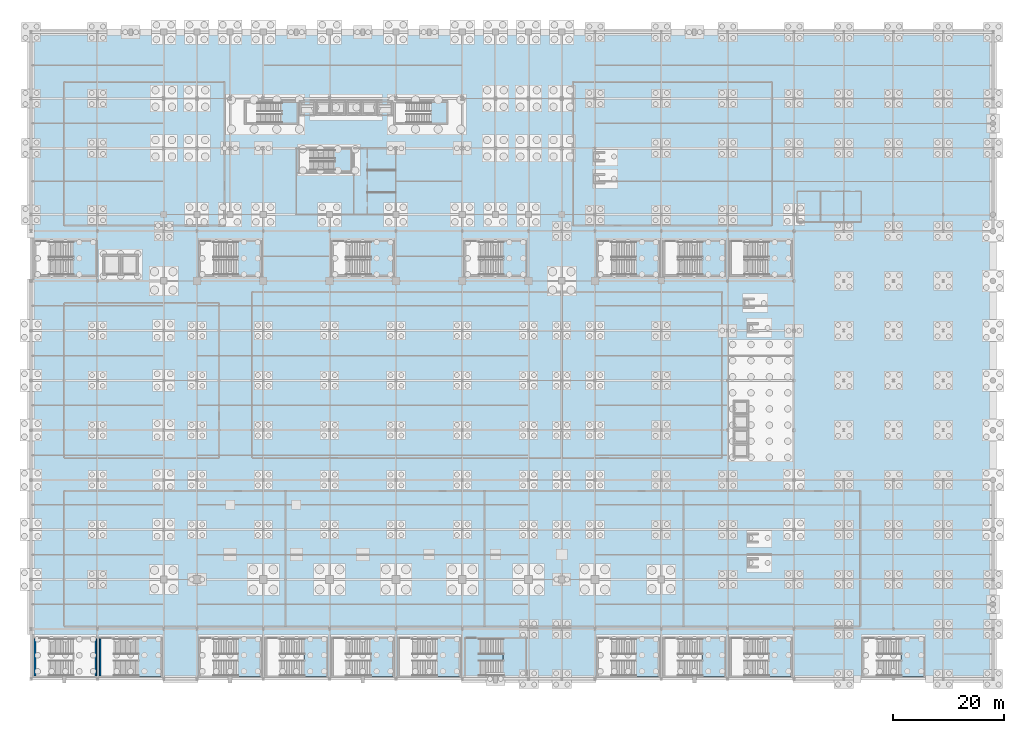
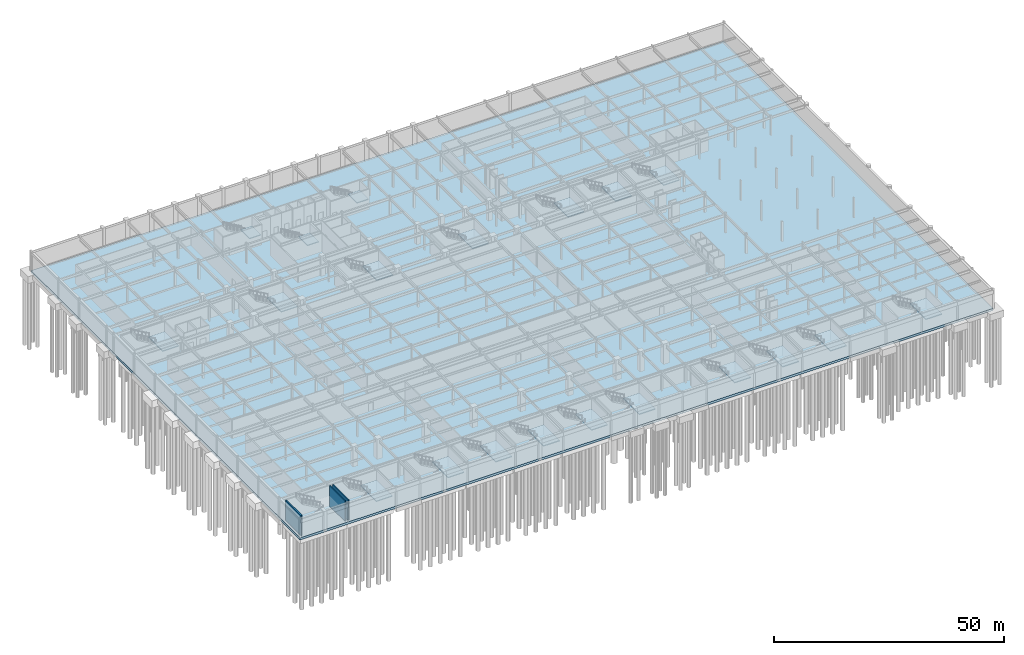
# One storey, part 22 of 47: 21 slabs, 3 walls, 20 elements without a shape of their own.
"""IFC4 building model written with IfcOpenShell, lengths in metres."""

from ifc_helpers import new_model, si_unit, direction, frame, frame_2d, origin, place, context, subcontext, project, spatial, polyline, rectangle, outline, extrude, material, layer, layer_set, type_object, element, aggregate, save


model = new_model("IFC4")

# Units and contexts
model_context = context("Model", 3, precision=1e-05, world=origin(), true_north=direction((0.0, 1.0)))
body_context = subcontext(model_context, "Body", "Model", "MODEL_VIEW")
ifc_project = project(units=[si_unit("LENGTHUNIT", "METRE"), si_unit("AREAUNIT", "SQUARE_METRE"), si_unit("VOLUMEUNIT", "CUBIC_METRE"), si_unit("PLANEANGLEUNIT", "RADIAN"), si_unit("MASSUNIT", "GRAM", prefix="KILO")], contexts=[model_context])

# Site, building, storey
site_placement = place(None, origin())
site = spatial("IfcSite", under=ifc_project, at=site_placement, CompositionType="ELEMENT")
building_placement = place(site_placement, origin())
building = spatial("IfcBuilding", under=site, at=building_placement, Name="Kaldorvane Square Convention Centre", CompositionType="ELEMENT")
storey_placement = place(building_placement, frame((0.0, 0.0, -5.399993896484375)))
storey = spatial("IfcBuildingStorey", under=building, at=storey_placement, Name="B01", CompositionType="ELEMENT", Elevation=-5.399993896484375)

# Slab
ifc_material_1 = material(Name="Concrete f'c = 42 MPa (Normalweight)", Category="concrete")
ifc_layer_1 = layer(ifc_material_1, 0.600006103515625)
ifc_layer_set_1 = layer_set([ifc_layer_1], Name="Concrete f'c = 42 MPa (Normalweight)")
slab_type_1 = type_object("IfcSlabType", Name="SL-BASE-600", PredefinedType="BASESLAB", material=ifc_layer_set_1)
slab_1_placement = place(storey_placement, frame((0.0, 0.0, -0.600006103515625)))
element("IfcSlab", 1, at=slab_1_placement, inside=storey, type_object=slab_type_1, Name="Basement Structural Base Slab", PredefinedType="BASESLAB", context=body_context, shape_type="SweptSolid", body=[
    extrude(outline(polyline([(0.0, 0.0), (174.0, 0.0), (174.0, 117.0), (0.0, 117.0), (0.0, 0.0)])), origin(), (0.0, 0.0, 1.0), 0.600006103515625),
])

# Stair, slab
stair_type_1 = type_object("IfcStairType", Name="ST-DL-1600-5400", PredefinedType="HALF_TURN_STAIR", material=ifc_material_1)
stair_1_placement = place(storey_placement, origin())
stair_1 = element("IfcStair", 2, at=stair_1_placement, inside=storey, type_object=stair_type_1, Name="Tower Exit Stair T1 (B01)", PredefinedType="HALF_TURN_STAIR")
ifc_layer_2 = layer(ifc_material_1, 0.2400054931640625)
ifc_layer_set_2 = layer_set([ifc_layer_2], Name="Concrete f'c = 42 MPa (Normalweight)")
slab_type_2 = type_object("IfcSlabType", Name="SL-LAND-240", PredefinedType="LANDING", material=ifc_layer_set_2)
slab_2_placement = place(storey_placement, frame((0.0, 0.0, 2.459991455078125)))
slab_2 = element("IfcSlab", 3, at=slab_2_placement, type_object=slab_type_2, Name="Tower Exit Stair T1 Half Landing (B01)", PredefinedType="LANDING", context=body_context, shape_type="SweptSolid", body=[
    extrude(outline(polyline([(45.32000732421875, 100.49000549316406), (48.220001220703125, 100.49000549316406), (48.220001220703125, 104.3699951171875), (45.32000732421875, 104.3699951171875), (45.32000732421875, 100.49000549316406)])), origin(), (0.0, 0.0, 1.0), 0.2400054931640625),
])
aggregate(stair_1, [slab_2])

stair_2_placement = place(storey_placement, origin())
stair_2 = element("IfcStair", 4, at=stair_2_placement, inside=storey, type_object=stair_type_1, Name="Tower Exit Stair T2 (B01)", PredefinedType="HALF_TURN_STAIR")
slab_3_placement = place(storey_placement, frame((0.0, 0.0, 2.459991455078125)))
slab_3 = element("IfcSlab", 5, at=slab_3_placement, type_object=slab_type_2, Name="Tower Exit Stair T2 Half Landing (B01)", PredefinedType="LANDING", context=body_context, shape_type="SweptSolid", body=[
    extrude(outline(polyline([(72.32000732421875, 100.49000549316406), (75.22000122070312, 100.49000549316406), (75.22000122070312, 104.3699951171875), (72.32000732421875, 104.3699951171875), (72.32000732421875, 100.49000549316406)])), origin(), (0.0, 0.0, 1.0), 0.2400054931640625),
])
aggregate(stair_2, [slab_3])

stair_3_placement = place(storey_placement, origin())
stair_3 = element("IfcStair", 6, at=stair_3_placement, inside=storey, type_object=stair_type_1, Name="Tower Exit Stair T3 (B01)", PredefinedType="HALF_TURN_STAIR")
slab_4_placement = place(storey_placement, frame((0.0, 0.0, 2.459991455078125)))
slab_4 = element("IfcSlab", 7, at=slab_4_placement, type_object=slab_type_2, Name="Tower Exit Stair T3 Half Landing (B01)", PredefinedType="LANDING", context=body_context, shape_type="SweptSolid", body=[
    extrude(outline(polyline([(54.91999816894531, 91.94000244140625), (57.82000732421875, 91.94000244140625), (57.82000732421875, 95.82000732421875), (54.91999816894531, 95.82000732421875), (54.91999816894531, 91.94000244140625)])), origin(), (0.0, 0.0, 1.0), 0.2400054931640625),
])
aggregate(stair_3, [slab_4])

stair_type_2 = type_object("IfcStairType", Name="ST-DL-2800-5400-D6710", PredefinedType="HALF_TURN_STAIR", material=ifc_material_1)
stair_4_placement = place(storey_placement, origin())
stair_4 = element("IfcStair", 8, at=stair_4_placement, inside=storey, type_object=stair_type_2, Name="Convention Exit Stair C2 (B01)", PredefinedType="HALF_TURN_STAIR")
slab_5_placement = place(storey_placement, frame((0.0, 0.0, 2.459991455078125)))
slab_5 = element("IfcSlab", 9, at=slab_5_placement, type_object=slab_type_2, Name="Convention Exit Stair C2 Half Landing (B01)", PredefinedType="LANDING", context=body_context, shape_type="SweptSolid", body=[
    extrude(outline(polyline([(19.410003662109375, 0.42999267578125), (23.479995727539062, 0.42999267578125), (23.479995727539062, 7.3800048828125), (19.410003662109375, 7.3800048828125), (19.410003662109375, 0.42999267578125)])), origin(), (0.0, 0.0, 1.0), 0.2400054931640625),
])
aggregate(stair_4, [slab_5])

stair_5_placement = place(storey_placement, origin())
stair_5 = element("IfcStair", 10, at=stair_5_placement, inside=storey, type_object=stair_type_2, Name="Convention Exit Stair C3 (B01)", PredefinedType="HALF_TURN_STAIR")
slab_6_placement = place(storey_placement, frame((0.0, 0.0, 2.459991455078125)))
slab_6 = element("IfcSlab", 11, at=slab_6_placement, type_object=slab_type_2, Name="Convention Exit Stair C3 Half Landing (B01)", PredefinedType="LANDING", context=body_context, shape_type="SweptSolid", body=[
    extrude(outline(polyline([(37.410003662109375, 0.42999267578125), (41.47999572753906, 0.42999267578125), (41.47999572753906, 7.3800048828125), (37.410003662109375, 7.3800048828125), (37.410003662109375, 0.42999267578125)])), origin(), (0.0, 0.0, 1.0), 0.2400054931640625),
])
aggregate(stair_5, [slab_6])

stair_6_placement = place(storey_placement, origin())
stair_6 = element("IfcStair", 12, at=stair_6_placement, inside=storey, type_object=stair_type_2, Name="Convention Exit Stair C4 (B01)", PredefinedType="HALF_TURN_STAIR")
slab_7_placement = place(storey_placement, frame((0.0, 0.0, 2.459991455078125)))
slab_7 = element("IfcSlab", 13, at=slab_7_placement, type_object=slab_type_2, Name="Convention Exit Stair C4 Half Landing (B01)", PredefinedType="LANDING", context=body_context, shape_type="SweptSolid", body=[
    extrude(outline(polyline([(49.410003662109375, 0.42999267578125), (53.47999572753906, 0.42999267578125), (53.47999572753906, 7.3800048828125), (49.410003662109375, 7.3800048828125), (49.410003662109375, 0.42999267578125)])), origin(), (0.0, 0.0, 1.0), 0.2400054931640625),
])
aggregate(stair_6, [slab_7])

stair_7_placement = place(storey_placement, origin())
stair_7 = element("IfcStair", 14, at=stair_7_placement, inside=storey, type_object=stair_type_2, Name="Convention Exit Stair C5 (B01)", PredefinedType="HALF_TURN_STAIR")
slab_8_placement = place(storey_placement, frame((0.0, 0.0, 2.459991455078125)))
slab_8 = element("IfcSlab", 15, at=slab_8_placement, type_object=slab_type_2, Name="Convention Exit Stair C5 Half Landing (B01)", PredefinedType="LANDING", context=body_context, shape_type="SweptSolid", body=[
    extrude(outline(polyline([(61.410003662109375, 0.42999267578125), (65.47999572753906, 0.42999267578125), (65.47999572753906, 7.3800048828125), (61.410003662109375, 7.3800048828125), (61.410003662109375, 0.42999267578125)])), origin(), (0.0, 0.0, 1.0), 0.2400054931640625),
])
aggregate(stair_7, [slab_8])

stair_8_placement = place(storey_placement, origin())
stair_8 = element("IfcStair", 16, at=stair_8_placement, inside=storey, type_object=stair_type_2, Name="Convention Exit Stair C6 (B01)", PredefinedType="HALF_TURN_STAIR")
slab_9_placement = place(storey_placement, frame((0.0, 0.0, 2.459991455078125)))
slab_9 = element("IfcSlab", 17, at=slab_9_placement, type_object=slab_type_2, Name="Convention Exit Stair C6 Half Landing (B01)", PredefinedType="LANDING", context=body_context, shape_type="SweptSolid", body=[
    extrude(outline(polyline([(73.41000366210938, 0.42999267578125), (77.47999572753906, 0.42999267578125), (77.47999572753906, 7.3800048828125), (73.41000366210938, 7.3800048828125), (73.41000366210938, 0.42999267578125)])), origin(), (0.0, 0.0, 1.0), 0.2400054931640625),
])
aggregate(stair_8, [slab_9])

stair_9_placement = place(storey_placement, origin())
stair_9 = element("IfcStair", 18, at=stair_9_placement, inside=storey, type_object=stair_type_2, Name="Convention Exit Stair C7 (B01)", PredefinedType="HALF_TURN_STAIR")
slab_10_placement = place(storey_placement, frame((0.0, 0.0, 2.459991455078125)))
slab_10 = element("IfcSlab", 19, at=slab_10_placement, type_object=slab_type_2, Name="Convention Exit Stair C7 Half Landing (B01)", PredefinedType="LANDING", context=body_context, shape_type="SweptSolid", body=[
    extrude(outline(polyline([(85.41000366210938, 0.42999267578125), (89.47999572753906, 0.42999267578125), (89.47999572753906, 7.3800048828125), (85.41000366210938, 7.3800048828125), (85.41000366210938, 0.42999267578125)])), origin(), (0.0, 0.0, 1.0), 0.2400054931640625),
])
aggregate(stair_9, [slab_10])

stair_10_placement = place(storey_placement, origin())
stair_10 = element("IfcStair", 20, at=stair_10_placement, inside=storey, type_object=stair_type_2, Name="Convention Exit Stair C8 (B01)", PredefinedType="HALF_TURN_STAIR")
slab_11_placement = place(storey_placement, frame((0.0, 0.0, 2.459991455078125)))
slab_11 = element("IfcSlab", 21, at=slab_11_placement, type_object=slab_type_2, Name="Convention Exit Stair C8 Half Landing (B01)", PredefinedType="LANDING", context=body_context, shape_type="SweptSolid", body=[
    extrude(outline(polyline([(109.41000366210938, 0.42999267578125), (113.47999572753906, 0.42999267578125), (113.47999572753906, 7.3800048828125), (109.41000366210938, 7.3800048828125), (109.41000366210938, 0.42999267578125)])), origin(), (0.0, 0.0, 1.0), 0.2400054931640625),
])
aggregate(stair_10, [slab_11])

stair_11_placement = place(storey_placement, origin())
stair_11 = element("IfcStair", 22, at=stair_11_placement, inside=storey, type_object=stair_type_2, Name="Convention Exit Stair C9 (B01)", PredefinedType="HALF_TURN_STAIR")
slab_12_placement = place(storey_placement, frame((0.0, 0.0, 2.459991455078125)))
slab_12 = element("IfcSlab", 23, at=slab_12_placement, type_object=slab_type_2, Name="Convention Exit Stair C9 Half Landing (B01)", PredefinedType="LANDING", context=body_context, shape_type="SweptSolid", body=[
    extrude(outline(polyline([(121.41000366210938, 0.42999267578125), (125.47999572753906, 0.42999267578125), (125.47999572753906, 7.3800048828125), (121.41000366210938, 7.3800048828125), (121.41000366210938, 0.42999267578125)])), origin(), (0.0, 0.0, 1.0), 0.2400054931640625),
])
aggregate(stair_11, [slab_12])

stair_12_placement = place(storey_placement, origin())
stair_12 = element("IfcStair", 24, at=stair_12_placement, inside=storey, type_object=stair_type_2, Name="Convention Exit Stair C10 (B01)", PredefinedType="HALF_TURN_STAIR")
slab_13_placement = place(storey_placement, frame((0.0, 0.0, 2.459991455078125)))
slab_13 = element("IfcSlab", 25, at=slab_13_placement, type_object=slab_type_2, Name="Convention Exit Stair C10 Half Landing (B01)", PredefinedType="LANDING", context=body_context, shape_type="SweptSolid", body=[
    extrude(outline(polyline([(133.41000366210938, 0.42999267578125), (137.47999572753906, 0.42999267578125), (137.47999572753906, 7.3800048828125), (133.41000366210938, 7.3800048828125), (133.41000366210938, 0.42999267578125)])), origin(), (0.0, 0.0, 1.0), 0.2400054931640625),
])
aggregate(stair_12, [slab_13])

stair_13_placement = place(storey_placement, origin())
stair_13 = element("IfcStair", 26, at=stair_13_placement, inside=storey, type_object=stair_type_2, Name="Convention Exit Stair C11 (B01)", PredefinedType="HALF_TURN_STAIR")
slab_14_placement = place(storey_placement, frame((0.0, 0.0, 2.459991455078125)))
slab_14 = element("IfcSlab", 27, at=slab_14_placement, type_object=slab_type_2, Name="Convention Exit Stair C11 Half Landing (B01)", PredefinedType="LANDING", context=body_context, shape_type="SweptSolid", body=[
    extrude(outline(polyline([(157.41000366210938, 0.42999267578125), (161.47999572753906, 0.42999267578125), (161.47999572753906, 7.3800048828125), (157.41000366210938, 7.3800048828125), (157.41000366210938, 0.42999267578125)])), origin(), (0.0, 0.0, 1.0), 0.2400054931640625),
])
aggregate(stair_13, [slab_14])

stair_type_3 = type_object("IfcStairType", Name="ST-DL-2800-5400", PredefinedType="HALF_TURN_STAIR", material=ifc_material_1)
stair_14_placement = place(storey_placement, origin())
stair_14 = element("IfcStair", 28, at=stair_14_placement, inside=storey, type_object=stair_type_3, Name="Convention Exit Stair C12 (B01)", PredefinedType="HALF_TURN_STAIR")
slab_15_placement = place(storey_placement, frame((0.0, 0.0, 2.459991455078125)))
slab_15 = element("IfcSlab", 29, at=slab_15_placement, type_object=slab_type_2, Name="Convention Exit Stair C12 Half Landing (B01)", PredefinedType="LANDING", context=body_context, shape_type="SweptSolid", body=[
    extrude(outline(polyline([(7.6300048828125, 72.97999572753906), (11.699996948242188, 72.97999572753906), (11.699996948242188, 79.17999267578125), (7.6300048828125, 79.17999267578125), (7.6300048828125, 72.97999572753906)])), origin(), (0.0, 0.0, 1.0), 0.2400054931640625),
])
aggregate(stair_14, [slab_15])

stair_15_placement = place(storey_placement, origin())
stair_15 = element("IfcStair", 30, at=stair_15_placement, inside=storey, type_object=stair_type_3, Name="Convention Exit Stair C13 (B01)", PredefinedType="HALF_TURN_STAIR")
slab_16_placement = place(storey_placement, frame((0.0, 0.0, 2.459991455078125)))
slab_16 = element("IfcSlab", 31, at=slab_16_placement, type_object=slab_type_2, Name="Convention Exit Stair C13 Half Landing (B01)", PredefinedType="LANDING", context=body_context, shape_type="SweptSolid", body=[
    extrude(outline(polyline([(37.410003662109375, 72.97999572753906), (41.47999572753906, 72.97999572753906), (41.47999572753906, 79.17999267578125), (37.410003662109375, 79.17999267578125), (37.410003662109375, 72.97999572753906)])), origin(), (0.0, 0.0, 1.0), 0.2400054931640625),
])
aggregate(stair_15, [slab_16])

stair_16_placement = place(storey_placement, origin())
stair_16 = element("IfcStair", 32, at=stair_16_placement, inside=storey, type_object=stair_type_3, Name="Convention Exit Stair C14 (B01)", PredefinedType="HALF_TURN_STAIR")
slab_17_placement = place(storey_placement, frame((0.0, 0.0, 2.459991455078125)))
slab_17 = element("IfcSlab", 33, at=slab_17_placement, type_object=slab_type_2, Name="Convention Exit Stair C14 Half Landing (B01)", PredefinedType="LANDING", context=body_context, shape_type="SweptSolid", body=[
    extrude(outline(polyline([(61.410003662109375, 72.97999572753906), (65.47999572753906, 72.97999572753906), (65.47999572753906, 79.17999267578125), (61.410003662109375, 79.17999267578125), (61.410003662109375, 72.97999572753906)])), origin(), (0.0, 0.0, 1.0), 0.2400054931640625),
])
aggregate(stair_16, [slab_17])

stair_17_placement = place(storey_placement, origin())
stair_17 = element("IfcStair", 34, at=stair_17_placement, inside=storey, type_object=stair_type_3, Name="Convention Exit Stair C15 (B01)", PredefinedType="HALF_TURN_STAIR")
slab_18_placement = place(storey_placement, frame((0.0, 0.0, 2.459991455078125)))
slab_18 = element("IfcSlab", 35, at=slab_18_placement, type_object=slab_type_2, Name="Convention Exit Stair C15 Half Landing (B01)", PredefinedType="LANDING", context=body_context, shape_type="SweptSolid", body=[
    extrude(outline(polyline([(85.41000366210938, 72.97999572753906), (89.47999572753906, 72.97999572753906), (89.47999572753906, 79.17999267578125), (85.41000366210938, 79.17999267578125), (85.41000366210938, 72.97999572753906)])), origin(), (0.0, 0.0, 1.0), 0.2400054931640625),
])
aggregate(stair_17, [slab_18])

stair_18_placement = place(storey_placement, origin())
stair_18 = element("IfcStair", 36, at=stair_18_placement, inside=storey, type_object=stair_type_3, Name="Convention Exit Stair C16 (B01)", PredefinedType="HALF_TURN_STAIR")
slab_19_placement = place(storey_placement, frame((0.0, 0.0, 2.459991455078125)))
slab_19 = element("IfcSlab", 37, at=slab_19_placement, type_object=slab_type_2, Name="Convention Exit Stair C16 Half Landing (B01)", PredefinedType="LANDING", context=body_context, shape_type="SweptSolid", body=[
    extrude(outline(polyline([(109.41000366210938, 72.97999572753906), (113.47999572753906, 72.97999572753906), (113.47999572753906, 79.17999267578125), (109.41000366210938, 79.17999267578125), (109.41000366210938, 72.97999572753906)])), origin(), (0.0, 0.0, 1.0), 0.2400054931640625),
])
aggregate(stair_18, [slab_19])

stair_19_placement = place(storey_placement, origin())
stair_19 = element("IfcStair", 38, at=stair_19_placement, inside=storey, type_object=stair_type_3, Name="Convention Exit Stair C17 (B01)", PredefinedType="HALF_TURN_STAIR")
slab_20_placement = place(storey_placement, frame((0.0, 0.0, 2.459991455078125)))
slab_20 = element("IfcSlab", 39, at=slab_20_placement, type_object=slab_type_2, Name="Convention Exit Stair C17 Half Landing (B01)", PredefinedType="LANDING", context=body_context, shape_type="SweptSolid", body=[
    extrude(outline(polyline([(121.41000366210938, 72.97999572753906), (125.47999572753906, 72.97999572753906), (125.47999572753906, 79.17999267578125), (121.41000366210938, 79.17999267578125), (121.41000366210938, 72.97999572753906)])), origin(), (0.0, 0.0, 1.0), 0.2400054931640625),
])
aggregate(stair_19, [slab_20])

stair_20_placement = place(storey_placement, origin())
stair_20 = element("IfcStair", 40, at=stair_20_placement, inside=storey, type_object=stair_type_3, Name="Convention Exit Stair C18 (B01)", PredefinedType="HALF_TURN_STAIR")
slab_21_placement = place(storey_placement, frame((0.0, 0.0, 2.459991455078125)))
slab_21 = element("IfcSlab", 41, at=slab_21_placement, type_object=slab_type_2, Name="Convention Exit Stair C18 Half Landing (B01)", PredefinedType="LANDING", context=body_context, shape_type="SweptSolid", body=[
    extrude(outline(polyline([(133.41000366210938, 72.97999572753906), (137.47999572753906, 72.97999572753906), (137.47999572753906, 79.17999267578125), (133.41000366210938, 79.17999267578125), (133.41000366210938, 72.97999572753906)])), origin(), (0.0, 0.0, 1.0), 0.2400054931640625),
])
aggregate(stair_20, [slab_21])

# Walls
ifc_material_2 = material(Name="Concrete f'c = 55 MPa (Normalweight)", Category="concrete")
ifc_layer_3 = layer(ifc_material_2, 0.3000030517578125)
ifc_layer_set_3 = layer_set([ifc_layer_3], Name="Concrete f'c = 55 MPa (Normalweight)")
wall_type = type_object("IfcWallType", Name="WL-SHAFT-300", PredefinedType="SHEAR", material=ifc_layer_set_3)
for number, where, z_axis, x_axis, name in (
    (42, (0.7100067138671875, 7.2599945068359375, 0.0), (0.0, 0.0, 1.0), (0.0, -1.0, 0.0), "Core Enclosure Wall stair:ST-C1-W (B01)"),
    (43, (11.729995727539062, 0.5500030517578125, 0.0), (0.0, 0.0, 1.0), (0.0, 1.0, 0.0), "Core Enclosure Wall stair:ST-C1-E (B01)"),
    (44, (12.490005493164062, 7.2599945068359375, 0.0), (0.0, 0.0, 1.0), (0.0, -1.0, 0.0), "Core Enclosure Wall stair:ST-C2-W (B01)"),
):
    element("IfcWall", number, at=place(storey_placement, frame(where, z_axis=z_axis, x_axis=x_axis)), inside=storey, type_object=wall_type, Name=name, PredefinedType="SHEAR", context=body_context, shape_type="SweptSolid", body=[
        extrude(rectangle(XDim=6.709991455078125, YDim=0.3000030517578125, at=frame_2d((3.3549957275390625, 0.0))), origin(), (0.0, 0.0, 1.0), 5.399993896484375),
    ])

save(model, "model.ifc")
